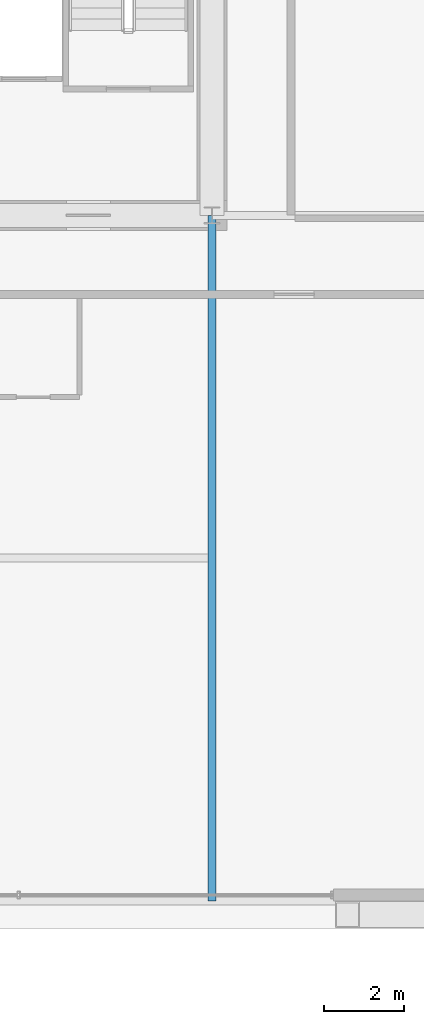
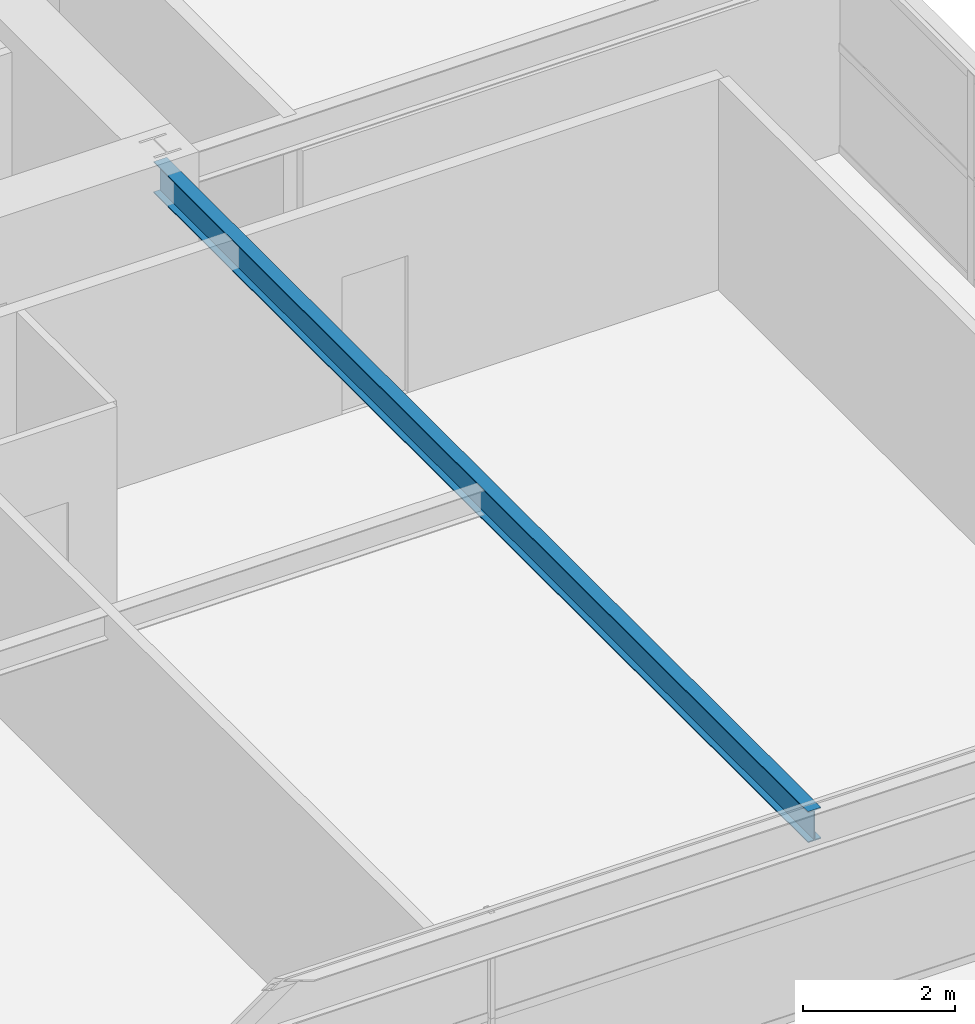
# One storey, part 17 of 43: 1 beam.
"""IFC4 building model written with IfcOpenShell, lengths in metres."""

import ifcopenshell
import ifcopenshell.guid

model = None  # the IFC model being written
_history = None  # IfcOwnerHistory: only IFC2X3 demands one
_inside = {}  # id of a spatial element -> (the spatial element, [elements in it])
_under = {}  # id of a project, library or spatial element -> (it, [spatial elements below it])
_declared = {}  # id of a project -> (the project, [libraries it declares])
_typed = {}  # id of a type object -> (the type object, [elements of that type])
_made_of = {}  # id of a material, layer set ... -> (it, [elements and type objects made of it])


def new_model(schema):
    """Start an empty IFC model of exactly this schema.

    Asked for "IFC4X3", IfcOpenShell would pick the latest addendum, in which some entities
    have other attributes; the version numbers below select the first issue.
    IFC2X3 requires an IfcOwnerHistory on every rooted entity: one is made here for all.
    """
    global model, _history
    if schema == "IFC4X3":
        model = ifcopenshell.file(schema_version=(4, 3, 0, 0))
    else:
        model = ifcopenshell.file(schema=schema)
    _inside.clear()
    _under.clear()
    _declared.clear()
    _typed.clear()
    _made_of.clear()
    _history = None
    if model.schema == "IFC2X3":
        org = make("IfcOrganization", Name="unknown")
        user = make(
            "IfcPersonAndOrganization",
            ThePerson=make("IfcPerson", FamilyName="unknown"),
            TheOrganization=org,
        )
        app = make(
            "IfcApplication",
            ApplicationDeveloper=org,
            Version="unknown",
            ApplicationFullName="unknown",
            ApplicationIdentifier="unknown",
        )
        _history = make(
            "IfcOwnerHistory",
            OwningUser=user,
            OwningApplication=app,
            ChangeAction="ADDED",
            CreationDate=0,
        )
    return model


def make(cls, **values):
    """One entity of the class cls with the attributes given. An attribute that is None is left unset."""
    return model.create_entity(
        cls, **{name: value for name, value in values.items() if value is not None}
    )


def rooted(cls, **values):
    """An entity with a GlobalId (a new one), such as an element, a storey or a relation."""
    return make(cls, GlobalId=ifcopenshell.guid.new(), OwnerHistory=_history, **values)


def si_unit(unit_type, name, prefix=None):
    """IfcSIUnit, for example si_unit("LENGTHUNIT", "METRE", prefix="MILLI")."""
    return make("IfcSIUnit", UnitType=unit_type, Prefix=prefix, Name=name)


def assignment(units):
    """IfcUnitAssignment: the units of a project."""
    return None if units is None else make("IfcUnitAssignment", Units=units)


def point(xyz):
    """IfcCartesianPoint."""
    return None if xyz is None else make("IfcCartesianPoint", Coordinates=xyz)


def direction(xyz):
    """IfcDirection."""
    return None if xyz is None else make("IfcDirection", DirectionRatios=xyz)


def frame(location, z_axis=None, x_axis=None):
    """IfcAxis2Placement3D, a coordinate frame: its origin and axes. An axis left out is left unset."""
    return make(
        "IfcAxis2Placement3D",
        Location=point(location),
        Axis=direction(z_axis),
        RefDirection=direction(x_axis),
    )


def frame_2d(location, x_axis=None):
    """IfcAxis2Placement2D, a coordinate frame in the plane: its origin and x axis."""
    return make(
        "IfcAxis2Placement2D", Location=point(location), RefDirection=direction(x_axis)
    )


def origin():
    """The frame at (0, 0, 0) with its axes left unset."""
    return frame((0.0, 0.0, 0.0))


def origin_2d():
    """The frame at (0, 0) in the plane with its x axis left unset."""
    return frame_2d((0.0, 0.0))


def place(relative_to, where):
    """IfcLocalPlacement: puts the frame where relative to a parent placement (None: the world)."""
    return make(
        "IfcLocalPlacement", PlacementRelTo=relative_to, RelativePlacement=where
    )


def context(
    kind, dimensions, precision=None, world=None, true_north=None, identifier=None
):
    """IfcGeometricRepresentationContext, for example the 3D "Model" context."""
    return make(
        "IfcGeometricRepresentationContext",
        ContextIdentifier=identifier,
        ContextType=kind,
        CoordinateSpaceDimension=dimensions,
        Precision=precision,
        WorldCoordinateSystem=world,
        TrueNorth=true_north,
    )


def subcontext(parent, identifier, kind, view, scale=None):
    """IfcGeometricRepresentationSubContext, for example "Body" below "Model"."""
    return make(
        "IfcGeometricRepresentationSubContext",
        ContextIdentifier=identifier,
        ContextType=kind,
        ParentContext=parent,
        TargetScale=scale,
        TargetView=view,
    )


def project(units=None, contexts=None):
    """IfcProject with its units and contexts."""
    return rooted(
        "IfcProject",
        Name="project",
        RepresentationContexts=contexts,
        UnitsInContext=assignment(units),
    )


def spatial(cls, under=None, at=None, **own):
    """A site, building, storey or space (cls), placed at a placement, below another one or the project."""
    s = rooted(cls, ObjectPlacement=at, **own)
    if under is not None:
        _under.setdefault(under.id(), (under, []))[1].append(s)
    return s


def profile(cls, at=None, kind="AREA", **sizes):
    """A parametric profile (cls). Its sizes go by their IFC names, for example OverallWidth=200.0."""
    return make(cls, ProfileType=kind, Position=at, **sizes)


def i_section(**sizes):
    """IfcIShapeProfileDef."""
    return profile("IfcIShapeProfileDef", **sizes)


def extrude(swept, where, along, depth):
    """IfcExtrudedAreaSolid: the profile swept, set in the frame where, extruded along a direction by depth."""
    return make(
        "IfcExtrudedAreaSolid",
        SweptArea=swept,
        Position=where,
        ExtrudedDirection=direction(along),
        Depth=depth,
    )


def shape(context_of_items, identifier, shape_type, items):
    """IfcShapeRepresentation: the items that make up one representation, for example the "Body"."""
    return make(
        "IfcShapeRepresentation",
        ContextOfItems=context_of_items,
        RepresentationIdentifier=identifier,
        RepresentationType=shape_type,
        Items=items,
    )


def source(mapping_origin, context_of_items, identifier, shape_type, items):
    """IfcRepresentationMap: a shape defined once, which mapped items show again and again."""
    return make(
        "IfcRepresentationMap",
        MappingOrigin=mapping_origin,
        MappedRepresentation=shape(context_of_items, identifier, shape_type, items),
    )


def transform(
    local_origin,
    x_axis=None,
    y_axis=None,
    z_axis=None,
    scale=None,
    scale2=None,
    scale3=None,
    uniform=True,
):
    """IfcCartesianTransformationOperator3D, or its non-uniform kind. x_axis, y_axis, z_axis: its Axis1, 2, 3."""
    if uniform:
        return make(
            "IfcCartesianTransformationOperator3D",
            Axis1=direction(x_axis),
            Axis2=direction(y_axis),
            LocalOrigin=point(local_origin),
            Scale=scale,
            Axis3=direction(z_axis),
        )
    return make(
        "IfcCartesianTransformationOperator3DnonUniform",
        Axis1=direction(x_axis),
        Axis2=direction(y_axis),
        LocalOrigin=point(local_origin),
        Scale=scale,
        Axis3=direction(z_axis),
        Scale2=scale2,
        Scale3=scale3,
    )


def mapped(mapping_source, mapping_target):
    """IfcMappedItem: shows the shape of a source again, moved by a transform."""
    return make(
        "IfcMappedItem", MappingSource=mapping_source, MappingTarget=mapping_target
    )


def material(Name=None, Category=None):
    """IfcMaterial."""
    return make("IfcMaterial", Name=Name, Category=Category)


def material_profile(
    of_material, cross_section, Name=None, Category=None, Priority=None
):
    """IfcMaterialProfile: a cross section and its material."""
    return make(
        "IfcMaterialProfile",
        Name=Name,
        Material=of_material,
        Profile=cross_section,
        Priority=Priority,
        Category=Category,
    )


def profile_set(profiles, Name=None, composite=None):
    """IfcMaterialProfileSet."""
    return make(
        "IfcMaterialProfileSet",
        Name=Name,
        MaterialProfiles=profiles,
        CompositeProfile=composite,
    )


def made_of(thing, what):
    """Note that an element or type object is made of a material, layer set ...; save() writes the relation."""
    if what is not None:
        _made_of.setdefault(what.id(), (what, []))[1].append(thing)
    return thing


def type_object(cls, material=None, **own):
    """A type object (cls), such as IfcWallType, which elements share."""
    return made_of(rooted(cls, **own), material)


def element(
    cls,
    number,
    at=None,
    inside=None,
    cuts=None,
    type_object=None,
    material=None,
    context=None,
    identifier="Body",
    shape_type=None,
    held_by="IfcProductDefinitionShape",
    body=None,
    shapes=None,
    **own,
):
    """One element of the class cls, such as IfcWall. Its Tag is "e" and its number.

    at: its placement. inside: the storey or other place that contains it. cuts: it is an
    opening in that element (IfcRelVoidsElement). A single representation is given by context,
    identifier, shape_type and body (its items); several are given by shapes. held_by: the class
    of the entity that holds the representations. save() writes the other relations.
    """
    e = rooted(cls, Tag="e%d" % number, ObjectPlacement=at, **own)
    if body is not None:
        shapes = [shape(context, identifier, shape_type, body)]
    if shapes is not None:
        e.Representation = make(held_by, Representations=shapes)
    if inside is not None:
        _inside.setdefault(inside.id(), (inside, []))[1].append(e)
    if cuts is not None:
        rooted(
            "IfcRelVoidsElement", RelatingBuildingElement=cuts, RelatedOpeningElement=e
        )
    if type_object is not None:
        _typed.setdefault(type_object.id(), (type_object, []))[1].append(e)
    return made_of(e, material)


def aggregate(whole, parts):
    """IfcRelAggregates: a whole, such as a stair, and the parts it consists of."""
    return rooted("IfcRelAggregates", RelatingObject=whole, RelatedObjects=parts)


def save(model, path):
    """Write the relations noted so far, then the file.

    IfcRelAggregates (storeys below a building ...), IfcRelContainedInSpatialStructure (elements
    in a storey), IfcRelDefinesByType, IfcRelAssociatesMaterial and IfcRelDeclares: one each for
    every whole, place, type object, material and project.
    """
    for whole, parts in _under.values():
        aggregate(whole, parts)
    for where, things in _inside.values():
        rooted(
            "IfcRelContainedInSpatialStructure",
            RelatedElements=things,
            RelatingStructure=where,
        )
    for kind, things in _typed.values():
        rooted("IfcRelDefinesByType", RelatedObjects=things, RelatingType=kind)
    for what, things in _made_of.values():
        rooted("IfcRelAssociatesMaterial", RelatedObjects=things, RelatingMaterial=what)
    for by, libraries in _declared.values():
        rooted("IfcRelDeclares", RelatingContext=by, RelatedDefinitions=libraries)
    model.write(path)


model = new_model("IFC4")

# Units and contexts
model_context = context("Model", 3, precision=1e-05, world=origin(), true_north=direction((0.0, 1.0)))
body_context = subcontext(model_context, "Body", "Model", "MODEL_VIEW")
ifc_project = project(units=[si_unit("LENGTHUNIT", "METRE"), si_unit("AREAUNIT", "SQUARE_METRE"), si_unit("VOLUMEUNIT", "CUBIC_METRE"), si_unit("PLANEANGLEUNIT", "RADIAN"), si_unit("MASSUNIT", "GRAM", prefix="KILO"), si_unit("THERMODYNAMICTEMPERATUREUNIT", "KELVIN"), si_unit("POWERUNIT", "WATT")], contexts=[model_context])

# Site, building, storey
site_placement = place(None, origin())
site = spatial("IfcSite", under=ifc_project, at=site_placement, CompositionType="ELEMENT")
building_placement = place(site_placement, origin())
building = spatial("IfcBuilding", under=site, at=building_placement, Name="Yuzanri Waterfront Tower", CompositionType="ELEMENT")
storey_placement = place(building_placement, frame((0.0, 0.0, 101.0)))
storey = spatial("IfcBuildingStorey", under=building, at=storey_placement, Name="L26", CompositionType="ELEMENT", Elevation=101.0)

# Beam
ifc_material = material(Name="Steel Q355B", Category="steel")
ifc_material_profile = material_profile(ifc_material, i_section(OverallWidth=0.199951171875, OverallDepth=0.5, WebThickness=0.010009765625, FlangeThickness=0.01611328125, at=origin_2d()), Name="HN 500x200x10x16")
ifc_profile_set = profile_set([ifc_material_profile], Name="Steel Q355B")
beam_type = type_object("IfcBeamType", Name="Secondary Floor Beam Q355B HN 500x200", PredefinedType="BEAM", material=ifc_profile_set)
shared_shape = source(origin(), body_context, "Body", "SweptSolid", [
    extrude(i_section(OverallWidth=0.199951171875, OverallDepth=0.5, WebThickness=0.010009765625, FlangeThickness=0.01611328125, at=origin_2d()), origin(), (0.0, 0.0, 1.0), 17.199951171875),
])
beam_placement = place(storey_placement, frame((50.199951171875, 19.39990234375, 3.1298828125), z_axis=(0.0, -1.0, 0.0), x_axis=(1.0, 0.0, 0.0)))
element("IfcBeam", 1, at=beam_placement, inside=storey, type_object=beam_type, Name="L26 South-East Core Line Beam", PredefinedType="BEAM", context=body_context, shape_type="MappedRepresentation", body=[
    mapped(shared_shape, transform((0.0, 0.0, 0.0), scale=1.0)),
])

save(model, "model.ifc")
